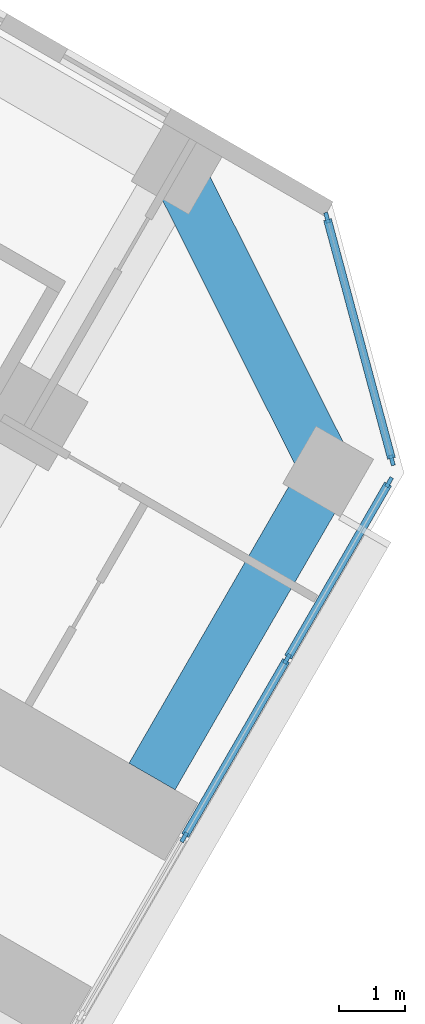
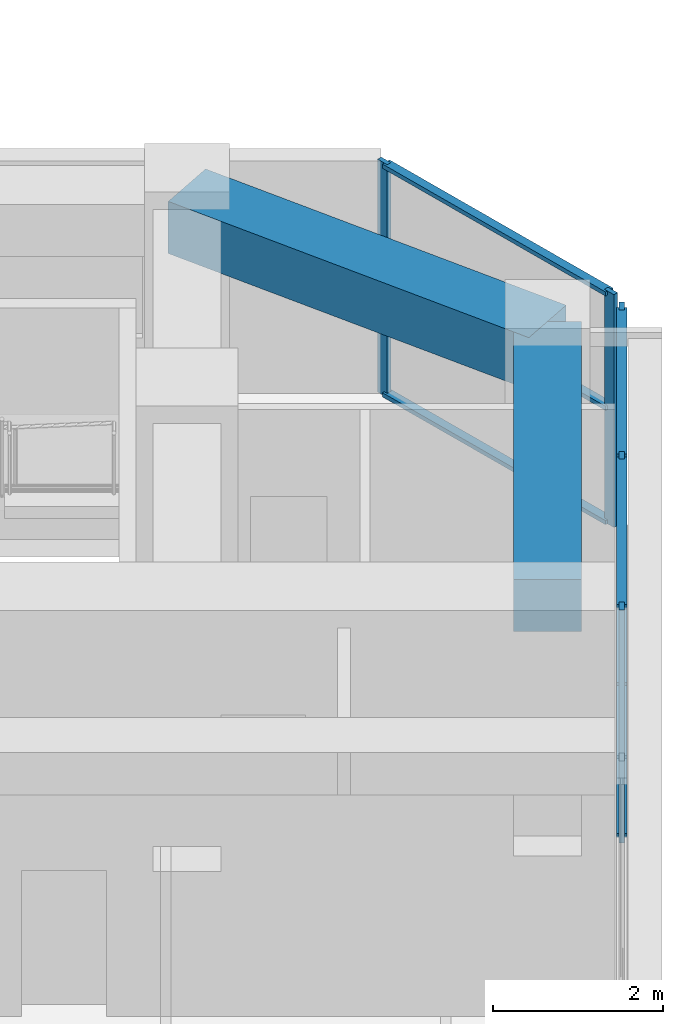
# One storey, part 8 of 21: 12 members, 2 beams, 2 elements without a shape of their own.
"""IFC4 building model written with IfcOpenShell, lengths in metres."""

import ifcopenshell
import ifcopenshell.guid

model = None  # the IFC model being written
_history = None  # IfcOwnerHistory: only IFC2X3 demands one
_inside = {}  # id of a spatial element -> (the spatial element, [elements in it])
_under = {}  # id of a project, library or spatial element -> (it, [spatial elements below it])
_declared = {}  # id of a project -> (the project, [libraries it declares])
_typed = {}  # id of a type object -> (the type object, [elements of that type])
_made_of = {}  # id of a material, layer set ... -> (it, [elements and type objects made of it])


def new_model(schema):
    """Start an empty IFC model of exactly this schema.

    Asked for "IFC4X3", IfcOpenShell would pick the latest addendum, in which some entities
    have other attributes; the version numbers below select the first issue.
    IFC2X3 requires an IfcOwnerHistory on every rooted entity: one is made here for all.
    """
    global model, _history
    if schema == "IFC4X3":
        model = ifcopenshell.file(schema_version=(4, 3, 0, 0))
    else:
        model = ifcopenshell.file(schema=schema)
    _inside.clear()
    _under.clear()
    _declared.clear()
    _typed.clear()
    _made_of.clear()
    _history = None
    if model.schema == "IFC2X3":
        org = make("IfcOrganization", Name="unknown")
        user = make(
            "IfcPersonAndOrganization",
            ThePerson=make("IfcPerson", FamilyName="unknown"),
            TheOrganization=org,
        )
        app = make(
            "IfcApplication",
            ApplicationDeveloper=org,
            Version="unknown",
            ApplicationFullName="unknown",
            ApplicationIdentifier="unknown",
        )
        _history = make(
            "IfcOwnerHistory",
            OwningUser=user,
            OwningApplication=app,
            ChangeAction="ADDED",
            CreationDate=0,
        )
    return model


def make(cls, **values):
    """One entity of the class cls with the attributes given. An attribute that is None is left unset."""
    return model.create_entity(
        cls, **{name: value for name, value in values.items() if value is not None}
    )


def rooted(cls, **values):
    """An entity with a GlobalId (a new one), such as an element, a storey or a relation."""
    return make(cls, GlobalId=ifcopenshell.guid.new(), OwnerHistory=_history, **values)


def si_unit(unit_type, name, prefix=None):
    """IfcSIUnit, for example si_unit("LENGTHUNIT", "METRE", prefix="MILLI")."""
    return make("IfcSIUnit", UnitType=unit_type, Prefix=prefix, Name=name)


def assignment(units):
    """IfcUnitAssignment: the units of a project."""
    return None if units is None else make("IfcUnitAssignment", Units=units)


def point(xyz):
    """IfcCartesianPoint."""
    return None if xyz is None else make("IfcCartesianPoint", Coordinates=xyz)


def direction(xyz):
    """IfcDirection."""
    return None if xyz is None else make("IfcDirection", DirectionRatios=xyz)


def frame(location, z_axis=None, x_axis=None):
    """IfcAxis2Placement3D, a coordinate frame: its origin and axes. An axis left out is left unset."""
    return make(
        "IfcAxis2Placement3D",
        Location=point(location),
        Axis=direction(z_axis),
        RefDirection=direction(x_axis),
    )


def frame_2d(location, x_axis=None):
    """IfcAxis2Placement2D, a coordinate frame in the plane: its origin and x axis."""
    return make(
        "IfcAxis2Placement2D", Location=point(location), RefDirection=direction(x_axis)
    )


def origin():
    """The frame at (0, 0, 0) with its axes left unset."""
    return frame((0.0, 0.0, 0.0))


def origin_2d():
    """The frame at (0, 0) in the plane with its x axis left unset."""
    return frame_2d((0.0, 0.0))


def place(relative_to, where):
    """IfcLocalPlacement: puts the frame where relative to a parent placement (None: the world)."""
    return make(
        "IfcLocalPlacement", PlacementRelTo=relative_to, RelativePlacement=where
    )


def context(
    kind, dimensions, precision=None, world=None, true_north=None, identifier=None
):
    """IfcGeometricRepresentationContext, for example the 3D "Model" context."""
    return make(
        "IfcGeometricRepresentationContext",
        ContextIdentifier=identifier,
        ContextType=kind,
        CoordinateSpaceDimension=dimensions,
        Precision=precision,
        WorldCoordinateSystem=world,
        TrueNorth=true_north,
    )


def subcontext(parent, identifier, kind, view, scale=None):
    """IfcGeometricRepresentationSubContext, for example "Body" below "Model"."""
    return make(
        "IfcGeometricRepresentationSubContext",
        ContextIdentifier=identifier,
        ContextType=kind,
        ParentContext=parent,
        TargetScale=scale,
        TargetView=view,
    )


def project(units=None, contexts=None):
    """IfcProject with its units and contexts."""
    return rooted(
        "IfcProject",
        Name="project",
        RepresentationContexts=contexts,
        UnitsInContext=assignment(units),
    )


def spatial(cls, under=None, at=None, **own):
    """A site, building, storey or space (cls), placed at a placement, below another one or the project."""
    s = rooted(cls, ObjectPlacement=at, **own)
    if under is not None:
        _under.setdefault(under.id(), (under, []))[1].append(s)
    return s


def profile(cls, at=None, kind="AREA", **sizes):
    """A parametric profile (cls). Its sizes go by their IFC names, for example OverallWidth=200.0."""
    return make(cls, ProfileType=kind, Position=at, **sizes)


def rectangle(**sizes):
    """IfcRectangleProfileDef."""
    return profile("IfcRectangleProfileDef", **sizes)


def extrude(swept, where, along, depth):
    """IfcExtrudedAreaSolid: the profile swept, set in the frame where, extruded along a direction by depth."""
    return make(
        "IfcExtrudedAreaSolid",
        SweptArea=swept,
        Position=where,
        ExtrudedDirection=direction(along),
        Depth=depth,
    )


def shape(context_of_items, identifier, shape_type, items):
    """IfcShapeRepresentation: the items that make up one representation, for example the "Body"."""
    return make(
        "IfcShapeRepresentation",
        ContextOfItems=context_of_items,
        RepresentationIdentifier=identifier,
        RepresentationType=shape_type,
        Items=items,
    )


def material(Name=None, Category=None):
    """IfcMaterial."""
    return make("IfcMaterial", Name=Name, Category=Category)


def material_profile(
    of_material, cross_section, Name=None, Category=None, Priority=None
):
    """IfcMaterialProfile: a cross section and its material."""
    return make(
        "IfcMaterialProfile",
        Name=Name,
        Material=of_material,
        Profile=cross_section,
        Priority=Priority,
        Category=Category,
    )


def profile_set(profiles, Name=None, composite=None):
    """IfcMaterialProfileSet."""
    return make(
        "IfcMaterialProfileSet",
        Name=Name,
        MaterialProfiles=profiles,
        CompositeProfile=composite,
    )


def made_of(thing, what):
    """Note that an element or type object is made of a material, layer set ...; save() writes the relation."""
    if what is not None:
        _made_of.setdefault(what.id(), (what, []))[1].append(thing)
    return thing


def type_object(cls, material=None, **own):
    """A type object (cls), such as IfcWallType, which elements share."""
    return made_of(rooted(cls, **own), material)


def element(
    cls,
    number,
    at=None,
    inside=None,
    cuts=None,
    type_object=None,
    material=None,
    context=None,
    identifier="Body",
    shape_type=None,
    held_by="IfcProductDefinitionShape",
    body=None,
    shapes=None,
    **own,
):
    """One element of the class cls, such as IfcWall. Its Tag is "e" and its number.

    at: its placement. inside: the storey or other place that contains it. cuts: it is an
    opening in that element (IfcRelVoidsElement). A single representation is given by context,
    identifier, shape_type and body (its items); several are given by shapes. held_by: the class
    of the entity that holds the representations. save() writes the other relations.
    """
    e = rooted(cls, Tag="e%d" % number, ObjectPlacement=at, **own)
    if body is not None:
        shapes = [shape(context, identifier, shape_type, body)]
    if shapes is not None:
        e.Representation = make(held_by, Representations=shapes)
    if inside is not None:
        _inside.setdefault(inside.id(), (inside, []))[1].append(e)
    if cuts is not None:
        rooted(
            "IfcRelVoidsElement", RelatingBuildingElement=cuts, RelatedOpeningElement=e
        )
    if type_object is not None:
        _typed.setdefault(type_object.id(), (type_object, []))[1].append(e)
    return made_of(e, material)


def aggregate(whole, parts):
    """IfcRelAggregates: a whole, such as a stair, and the parts it consists of."""
    return rooted("IfcRelAggregates", RelatingObject=whole, RelatedObjects=parts)


def save(model, path):
    """Write the relations noted so far, then the file.

    IfcRelAggregates (storeys below a building ...), IfcRelContainedInSpatialStructure (elements
    in a storey), IfcRelDefinesByType, IfcRelAssociatesMaterial and IfcRelDeclares: one each for
    every whole, place, type object, material and project.
    """
    for whole, parts in _under.values():
        aggregate(whole, parts)
    for where, things in _inside.values():
        rooted(
            "IfcRelContainedInSpatialStructure",
            RelatedElements=things,
            RelatingStructure=where,
        )
    for kind, things in _typed.values():
        rooted("IfcRelDefinesByType", RelatedObjects=things, RelatingType=kind)
    for what, things in _made_of.values():
        rooted("IfcRelAssociatesMaterial", RelatedObjects=things, RelatingMaterial=what)
    for by, libraries in _declared.values():
        rooted("IfcRelDeclares", RelatingContext=by, RelatedDefinitions=libraries)
    model.write(path)


model = new_model("IFC4")

# Units and contexts
model_context = context("Model", 3, precision=1e-05, world=origin(), true_north=direction((0.0, 1.0)))
body_context = subcontext(model_context, "Body", "Model", "MODEL_VIEW")
ifc_project = project(units=[si_unit("LENGTHUNIT", "METRE"), si_unit("AREAUNIT", "SQUARE_METRE"), si_unit("VOLUMEUNIT", "CUBIC_METRE"), si_unit("PLANEANGLEUNIT", "RADIAN"), si_unit("MASSUNIT", "GRAM", prefix="KILO")], contexts=[model_context])

# Site, building, storey
site_placement = place(None, origin())
site = spatial("IfcSite", under=ifc_project, at=site_placement, CompositionType="ELEMENT")
building_placement = place(site_placement, origin())
building = spatial("IfcBuilding", under=site, at=building_placement, Name="Kosmar Iwan School Tower", CompositionType="ELEMENT")
storey_placement = place(building_placement, frame((0.0, 0.0, 46.60009765625)))
storey = spatial("IfcBuildingStorey", under=building, at=storey_placement, Name="L10", CompositionType="ELEMENT", Elevation=46.60009765625)

# Curtain wall, members
ifc_material_1 = material(Name="Dark glass in black aluminium frame", Category="aluminium")
curtain_wall_type_1 = type_object("IfcCurtainWallType", Name="Tower curtain wall dark glass", PredefinedType="USERDEFINED", material=ifc_material_1)
curtain_wall_1_placement = place(storey_placement, origin())
curtain_wall_1 = element("IfcCurtainWall", 1, at=curtain_wall_1_placement, inside=storey, type_object=curtain_wall_type_1, Name="Curtain wall L10-F03", ObjectType="UNITISED CURTAIN WALL", PredefinedType="USERDEFINED")
ifc_material_2 = material(Name="Black anodised aluminium", Category="aluminium")
ifc_material_profile_1 = material_profile(ifc_material_2, rectangle(XDim=0.06005859375, YDim=0.159912109375, at=origin_2d()), Name="MULLION 60x160")
ifc_profile_set_1 = profile_set([ifc_material_profile_1], Name="Black anodised aluminium")
member_type_1 = type_object("IfcMemberType", Name="Mullion 60x160", PredefinedType="MULLION", material=ifc_profile_set_1)
member_1_placement = place(storey_placement, frame((30.631103515625, -15.8955078125, 0.0), z_axis=(0.0, 0.0, 1.0), x_axis=(-0.866025405329, 0.499999997325, 0.0)))
member_1 = element("IfcMember", 2, at=member_1_placement, type_object=member_type_1, Name="CW1 mullion 4", PredefinedType="MULLION", context=body_context, shape_type="SweptSolid", body=[
    extrude(rectangle(XDim=0.06005859375, YDim=0.159912109375, at=origin_2d()), origin(), (0.0, 0.0, 1.0), 3.349853515625),
])
member_2_placement = place(storey_placement, frame((32.1806640625, -13.21142578125, 0.0), z_axis=(0.0, 0.0, 1.0), x_axis=(-0.866025405329, 0.499999997325, 0.0)))
member_2 = element("IfcMember", 3, at=member_2_placement, type_object=member_type_1, Name="CW1 mullion 5", PredefinedType="MULLION", context=body_context, shape_type="SweptSolid", body=[
    extrude(rectangle(XDim=0.06005859375, YDim=0.159912109375, at=origin_2d()), origin(), (0.0, 0.0, 1.0), 3.349853515625),
])
member_3_placement = place(storey_placement, frame((33.71533203125, -10.55322265625, 0.0), z_axis=(0.0, 0.0, 1.0), x_axis=(-0.866025405329, 0.499999997325, 0.0)))
member_3 = element("IfcMember", 4, at=member_3_placement, type_object=member_type_1, Name="CW1 mullion 6", PredefinedType="MULLION", context=body_context, shape_type="SweptSolid", body=[
    extrude(rectangle(XDim=0.06005859375, YDim=0.159912109375, at=origin_2d()), origin(), (0.0, 0.0, 1.0), 3.349853515625),
])

ifc_material_3 = material(Name="Dark glass in black aluminium frame", Category="aluminium")
curtain_wall_type_2 = type_object("IfcCurtainWallType", Name="Chamfer curtain wall dark glass", PredefinedType="USERDEFINED", material=ifc_material_3)
curtain_wall_2_placement = place(storey_placement, origin())
curtain_wall_2 = element("IfcCurtainWall", 5, at=curtain_wall_2_placement, inside=storey, type_object=curtain_wall_type_2, Name="Curtain wall L10-F04", ObjectType="FACETED CURTAIN WALL", PredefinedType="USERDEFINED")
member_4_placement = place(storey_placement, frame((33.7587890625, -10.2236328125, 0.0), z_axis=(0.0, 0.0, 1.0), x_axis=(-0.965925875495, -0.258818861462, 0.0)))
member_4 = element("IfcMember", 6, at=member_4_placement, type_object=member_type_1, Name="CW2 mullion 1", PredefinedType="MULLION", context=body_context, shape_type="SweptSolid", body=[
    extrude(rectangle(XDim=0.06005859375, YDim=0.159912109375, at=origin_2d()), origin(), (0.0, 0.0, 1.0), 3.349853515625),
])
member_5_placement = place(storey_placement, frame((32.78076171875, -6.5732421875, 0.0), z_axis=(0.0, 0.0, 1.0), x_axis=(-0.965925875495, -0.258818861462, 0.0)))
member_5 = element("IfcMember", 7, at=member_5_placement, type_object=member_type_1, Name="CW2 mullion 2", PredefinedType="MULLION", context=body_context, shape_type="SweptSolid", body=[
    extrude(rectangle(XDim=0.06005859375, YDim=0.159912109375, at=origin_2d()), origin(), (0.0, 0.0, 1.0), 3.349853515625),
])

# Beams
ifc_material_4 = material(Name="Concrete C50/60", Category="concrete")
ifc_material_profile_2 = material_profile(ifc_material_4, rectangle(XDim=0.800048828125, YDim=0.75, at=origin_2d()), Name="RC 800x750")
ifc_profile_set_2 = profile_set([ifc_material_profile_2], Name="Concrete C50/60")
beam_type = type_object("IfcBeamType", Name="RC tip beam 800x750", PredefinedType="BEAM", material=ifc_profile_set_2)
beam_1_placement = place(storey_placement, frame((30.517822265625, -5.841552734375, 2.974853515625), z_axis=(0.44809604203, -0.893985423325, 0.0), x_axis=(0.893985423325, 0.44809604203, 0.0)))
element("IfcBeam", 8, at=beam_1_placement, inside=storey, type_object=beam_type, Name="Tip beam CL", PredefinedType="BEAM", context=body_context, shape_type="SweptSolid", body=[
    extrude(rectangle(XDim=0.800048828125, YDim=0.75, at=origin_2d()), origin(), (0.0, 0.0, 1.0), 5.08935546875),
])
beam_2_placement = place(storey_placement, frame((32.79833984375, -10.391357421875, 2.974853515625), z_axis=(-0.499973660256, -0.866040610509, 0.0), x_axis=(0.866040610509, -0.499973660256, 0.0)))
element("IfcBeam", 9, at=beam_2_placement, inside=storey, type_object=beam_type, Name="Tip beam CL to corridor wall", PredefinedType="BEAM", context=body_context, shape_type="SweptSolid", body=[
    extrude(rectangle(XDim=0.800048828125, YDim=0.75, at=origin_2d()), origin(), (0.0, 0.0, 1.0), 5.300048828125),
])

# Member
ifc_material_5 = material(Name="Black anodised aluminium", Category="aluminium")
ifc_material_profile_3 = material_profile(ifc_material_5, rectangle(XDim=0.1201171875, YDim=0.06005859375, at=origin_2d()), Name="TRANSOM 60x120")
ifc_profile_set_3 = profile_set([ifc_material_profile_3], Name="Black anodised aluminium")
member_type_2 = type_object("IfcMemberType", Name="Transom 60x120", PredefinedType="USERDEFINED", material=ifc_profile_set_3)
member_6_placement = place(storey_placement, frame((30.64599609375, -15.869384765625, 0.02978515625), z_axis=(0.500035348339, 0.866004994449, 0.0), x_axis=(-0.866004994449, 0.500035348339, 0.0)))
member_6 = element("IfcMember", 10, at=member_6_placement, type_object=member_type_2, Name="CW1 transom 4.1", ObjectType="TRANSOM", PredefinedType="USERDEFINED", context=body_context, shape_type="SweptSolid", body=[
    extrude(rectangle(XDim=0.1201171875, YDim=0.06005859375, at=origin_2d()), origin(), (0.0, 0.0, 1.0), 3.039306640625),
])

member_7_placement = place(storey_placement, frame((30.64599609375, -15.869384765625, 3.31982421875), z_axis=(0.500035348339, 0.866004994449, 0.0), x_axis=(-0.866004994449, 0.500035348339, 0.0)))
member_7 = element("IfcMember", 11, at=member_7_placement, type_object=member_type_2, Name="CW1 transom 4.2", ObjectType="TRANSOM", PredefinedType="USERDEFINED", context=body_context, shape_type="SweptSolid", body=[
    extrude(rectangle(XDim=0.1201171875, YDim=0.06005859375, at=origin_2d()), origin(), (0.0, 0.0, 1.0), 3.039306640625),
])

member_8_placement = place(storey_placement, frame((32.19580078125, -13.185302734375, 0.02978515625), z_axis=(0.500022102064, 0.866012642776, 0.0), x_axis=(-0.866012642776, 0.500022102064, 0.0)))
member_8 = element("IfcMember", 12, at=member_8_placement, type_object=member_type_2, Name="CW1 transom 5.1", ObjectType="TRANSOM", PredefinedType="USERDEFINED", context=body_context, shape_type="SweptSolid", body=[
    extrude(rectangle(XDim=0.1201171875, YDim=0.06005859375, at=origin_2d()), origin(), (0.0, 0.0, 1.0), 3.009033203125),
])

member_9_placement = place(storey_placement, frame((32.19580078125, -13.185302734375, 3.31982421875), z_axis=(0.500022102064, 0.866012642776, 0.0), x_axis=(-0.866012642776, 0.500022102064, 0.0)))
member_9 = element("IfcMember", 13, at=member_9_placement, type_object=member_type_2, Name="CW1 transom 5.2", ObjectType="TRANSOM", PredefinedType="USERDEFINED", context=body_context, shape_type="SweptSolid", body=[
    extrude(rectangle(XDim=0.1201171875, YDim=0.06005859375, at=origin_2d()), origin(), (0.0, 0.0, 1.0), 3.009033203125),
])

aggregate(curtain_wall_1, [member_1, member_2, member_3, member_6, member_7, member_8, member_9])

member_10_placement = place(storey_placement, frame((33.7509765625, -10.194580078125, 0.02978515625), z_axis=(-0.258843273983, 0.965919333854, 0.0), x_axis=(-0.965919333854, -0.258843273983, 0.0)))
member_10 = element("IfcMember", 14, at=member_10_placement, type_object=member_type_2, Name="CW2 transom 1.1", ObjectType="TRANSOM", PredefinedType="USERDEFINED", context=body_context, shape_type="SweptSolid", body=[
    extrude(rectangle(XDim=0.1201171875, YDim=0.06005859375, at=origin_2d()), origin(), (0.0, 0.0, 1.0), 3.718994140625),
])

member_11_placement = place(storey_placement, frame((33.7509765625, -10.194580078125, 1.6748046875), z_axis=(-0.258843273983, 0.965919333854, 0.0), x_axis=(-0.965919333854, -0.258843273983, 0.0)))
member_11 = element("IfcMember", 15, at=member_11_placement, type_object=member_type_2, Name="CW2 transom 1.2", ObjectType="TRANSOM", PredefinedType="USERDEFINED", context=body_context, shape_type="SweptSolid", body=[
    extrude(rectangle(XDim=0.1201171875, YDim=0.06005859375, at=origin_2d()), origin(), (0.0, 0.0, 1.0), 3.718994140625),
])

member_12_placement = place(storey_placement, frame((33.7509765625, -10.194580078125, 3.31982421875), z_axis=(-0.258843273983, 0.965919333854, 0.0), x_axis=(-0.965919333854, -0.258843273983, 0.0)))
member_12 = element("IfcMember", 16, at=member_12_placement, type_object=member_type_2, Name="CW2 transom 1.3", ObjectType="TRANSOM", PredefinedType="USERDEFINED", context=body_context, shape_type="SweptSolid", body=[
    extrude(rectangle(XDim=0.1201171875, YDim=0.06005859375, at=origin_2d()), origin(), (0.0, 0.0, 1.0), 3.718994140625),
])

aggregate(curtain_wall_2, [member_4, member_5, member_10, member_11, member_12])

save(model, "model.ifc")
